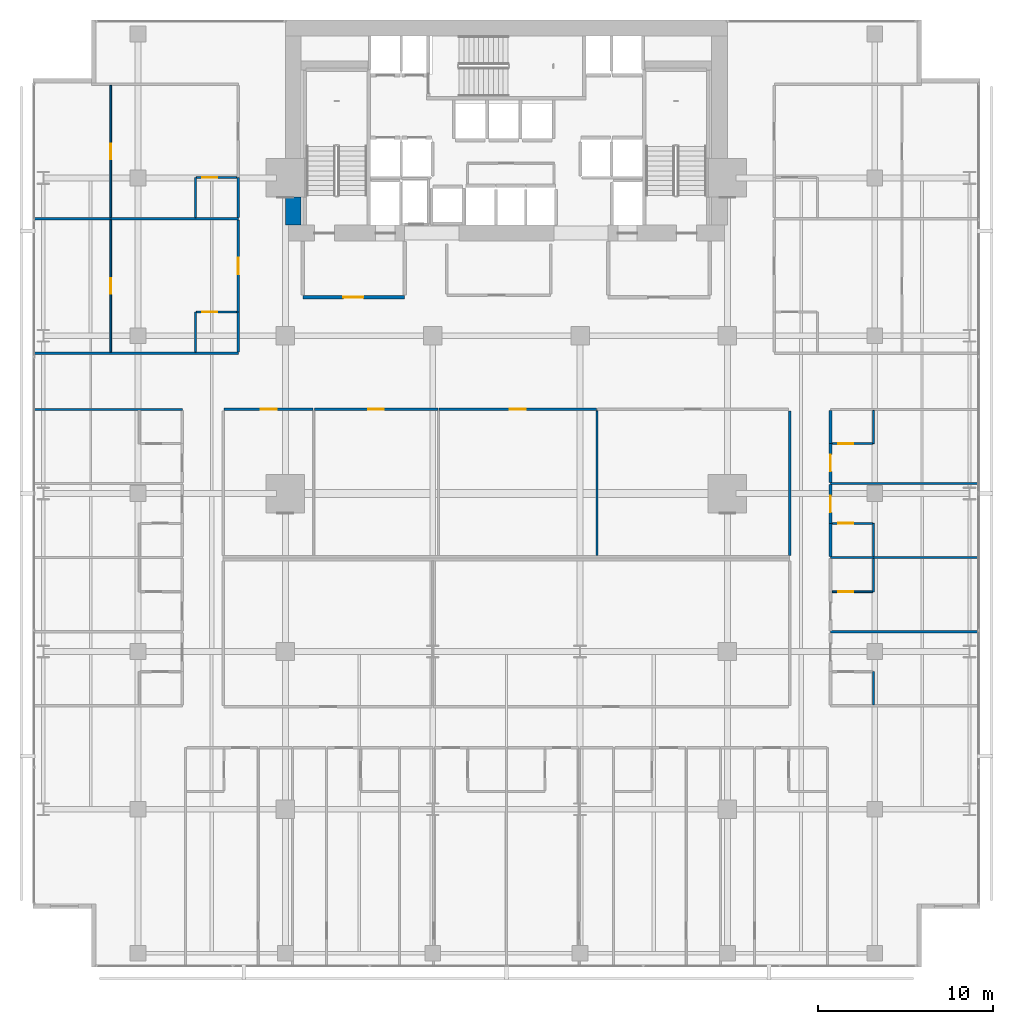
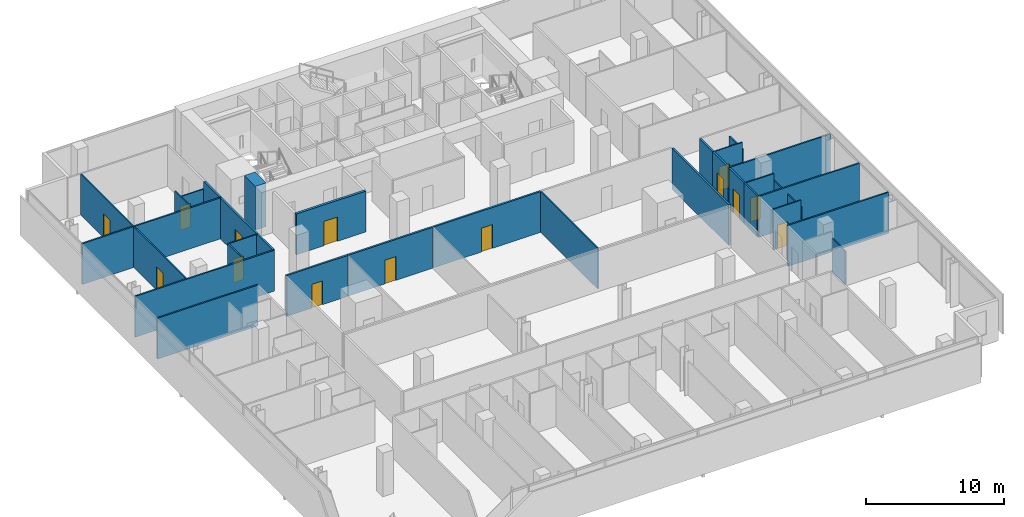
# One storey, part 35 of 40: 33 walls, 14 doors, 14 openings.
"""IFC4 building model written with IfcOpenShell, lengths in metres."""

import ifcopenshell
import ifcopenshell.guid

model = None  # the IFC model being written
_history = None  # IfcOwnerHistory: only IFC2X3 demands one
_inside = {}  # id of a spatial element -> (the spatial element, [elements in it])
_under = {}  # id of a project, library or spatial element -> (it, [spatial elements below it])
_declared = {}  # id of a project -> (the project, [libraries it declares])
_typed = {}  # id of a type object -> (the type object, [elements of that type])
_made_of = {}  # id of a material, layer set ... -> (it, [elements and type objects made of it])


def new_model(schema):
    """Start an empty IFC model of exactly this schema.

    Asked for "IFC4X3", IfcOpenShell would pick the latest addendum, in which some entities
    have other attributes; the version numbers below select the first issue.
    IFC2X3 requires an IfcOwnerHistory on every rooted entity: one is made here for all.
    """
    global model, _history
    if schema == "IFC4X3":
        model = ifcopenshell.file(schema_version=(4, 3, 0, 0))
    else:
        model = ifcopenshell.file(schema=schema)
    _inside.clear()
    _under.clear()
    _declared.clear()
    _typed.clear()
    _made_of.clear()
    _history = None
    if model.schema == "IFC2X3":
        org = make("IfcOrganization", Name="unknown")
        user = make(
            "IfcPersonAndOrganization",
            ThePerson=make("IfcPerson", FamilyName="unknown"),
            TheOrganization=org,
        )
        app = make(
            "IfcApplication",
            ApplicationDeveloper=org,
            Version="unknown",
            ApplicationFullName="unknown",
            ApplicationIdentifier="unknown",
        )
        _history = make(
            "IfcOwnerHistory",
            OwningUser=user,
            OwningApplication=app,
            ChangeAction="ADDED",
            CreationDate=0,
        )
    return model


def make(cls, **values):
    """One entity of the class cls with the attributes given. An attribute that is None is left unset."""
    return model.create_entity(
        cls, **{name: value for name, value in values.items() if value is not None}
    )


def rooted(cls, **values):
    """An entity with a GlobalId (a new one), such as an element, a storey or a relation."""
    return make(cls, GlobalId=ifcopenshell.guid.new(), OwnerHistory=_history, **values)


def si_unit(unit_type, name, prefix=None):
    """IfcSIUnit, for example si_unit("LENGTHUNIT", "METRE", prefix="MILLI")."""
    return make("IfcSIUnit", UnitType=unit_type, Prefix=prefix, Name=name)


def assignment(units):
    """IfcUnitAssignment: the units of a project."""
    return None if units is None else make("IfcUnitAssignment", Units=units)


def point(xyz):
    """IfcCartesianPoint."""
    return None if xyz is None else make("IfcCartesianPoint", Coordinates=xyz)


def direction(xyz):
    """IfcDirection."""
    return None if xyz is None else make("IfcDirection", DirectionRatios=xyz)


def frame(location, z_axis=None, x_axis=None):
    """IfcAxis2Placement3D, a coordinate frame: its origin and axes. An axis left out is left unset."""
    return make(
        "IfcAxis2Placement3D",
        Location=point(location),
        Axis=direction(z_axis),
        RefDirection=direction(x_axis),
    )


def frame_2d(location, x_axis=None):
    """IfcAxis2Placement2D, a coordinate frame in the plane: its origin and x axis."""
    return make(
        "IfcAxis2Placement2D", Location=point(location), RefDirection=direction(x_axis)
    )


def origin():
    """The frame at (0, 0, 0) with its axes left unset."""
    return frame((0.0, 0.0, 0.0))


def place(relative_to, where):
    """IfcLocalPlacement: puts the frame where relative to a parent placement (None: the world)."""
    return make(
        "IfcLocalPlacement", PlacementRelTo=relative_to, RelativePlacement=where
    )


def context(
    kind, dimensions, precision=None, world=None, true_north=None, identifier=None
):
    """IfcGeometricRepresentationContext, for example the 3D "Model" context."""
    return make(
        "IfcGeometricRepresentationContext",
        ContextIdentifier=identifier,
        ContextType=kind,
        CoordinateSpaceDimension=dimensions,
        Precision=precision,
        WorldCoordinateSystem=world,
        TrueNorth=true_north,
    )


def subcontext(parent, identifier, kind, view, scale=None):
    """IfcGeometricRepresentationSubContext, for example "Body" below "Model"."""
    return make(
        "IfcGeometricRepresentationSubContext",
        ContextIdentifier=identifier,
        ContextType=kind,
        ParentContext=parent,
        TargetScale=scale,
        TargetView=view,
    )


def project(units=None, contexts=None):
    """IfcProject with its units and contexts."""
    return rooted(
        "IfcProject",
        Name="project",
        RepresentationContexts=contexts,
        UnitsInContext=assignment(units),
    )


def spatial(cls, under=None, at=None, **own):
    """A site, building, storey or space (cls), placed at a placement, below another one or the project."""
    s = rooted(cls, ObjectPlacement=at, **own)
    if under is not None:
        _under.setdefault(under.id(), (under, []))[1].append(s)
    return s


def profile(cls, at=None, kind="AREA", **sizes):
    """A parametric profile (cls). Its sizes go by their IFC names, for example OverallWidth=200.0."""
    return make(cls, ProfileType=kind, Position=at, **sizes)


def rectangle(**sizes):
    """IfcRectangleProfileDef."""
    return profile("IfcRectangleProfileDef", **sizes)


def extrude(swept, where, along, depth):
    """IfcExtrudedAreaSolid: the profile swept, set in the frame where, extruded along a direction by depth."""
    return make(
        "IfcExtrudedAreaSolid",
        SweptArea=swept,
        Position=where,
        ExtrudedDirection=direction(along),
        Depth=depth,
    )


def shape(context_of_items, identifier, shape_type, items):
    """IfcShapeRepresentation: the items that make up one representation, for example the "Body"."""
    return make(
        "IfcShapeRepresentation",
        ContextOfItems=context_of_items,
        RepresentationIdentifier=identifier,
        RepresentationType=shape_type,
        Items=items,
    )


def material(Name=None, Category=None):
    """IfcMaterial."""
    return make("IfcMaterial", Name=Name, Category=Category)


def layer(
    of_material, thickness, ventilated=None, Name=None, Category=None, Priority=None
):
    """IfcMaterialLayer: one layer of a wall or slab, of a material (None: an air gap)."""
    return make(
        "IfcMaterialLayer",
        Material=of_material,
        LayerThickness=thickness,
        IsVentilated=ventilated,
        Name=Name,
        Category=Category,
        Priority=Priority,
    )


def layer_set(layers, Name=None):
    """IfcMaterialLayerSet."""
    return make("IfcMaterialLayerSet", MaterialLayers=layers, LayerSetName=Name)


def made_of(thing, what):
    """Note that an element or type object is made of a material, layer set ...; save() writes the relation."""
    if what is not None:
        _made_of.setdefault(what.id(), (what, []))[1].append(thing)
    return thing


def type_object(cls, material=None, **own):
    """A type object (cls), such as IfcWallType, which elements share."""
    return made_of(rooted(cls, **own), material)


def element(
    cls,
    number,
    at=None,
    inside=None,
    cuts=None,
    type_object=None,
    material=None,
    context=None,
    identifier="Body",
    shape_type=None,
    held_by="IfcProductDefinitionShape",
    body=None,
    shapes=None,
    **own,
):
    """One element of the class cls, such as IfcWall. Its Tag is "e" and its number.

    at: its placement. inside: the storey or other place that contains it. cuts: it is an
    opening in that element (IfcRelVoidsElement). A single representation is given by context,
    identifier, shape_type and body (its items); several are given by shapes. held_by: the class
    of the entity that holds the representations. save() writes the other relations.
    """
    e = rooted(cls, Tag="e%d" % number, ObjectPlacement=at, **own)
    if body is not None:
        shapes = [shape(context, identifier, shape_type, body)]
    if shapes is not None:
        e.Representation = make(held_by, Representations=shapes)
    if inside is not None:
        _inside.setdefault(inside.id(), (inside, []))[1].append(e)
    if cuts is not None:
        rooted(
            "IfcRelVoidsElement", RelatingBuildingElement=cuts, RelatedOpeningElement=e
        )
    if type_object is not None:
        _typed.setdefault(type_object.id(), (type_object, []))[1].append(e)
    return made_of(e, material)


def fill(opening, filler):
    """IfcRelFillsElement: the door or window that sits in an opening."""
    return rooted(
        "IfcRelFillsElement",
        RelatingOpeningElement=opening,
        RelatedBuildingElement=filler,
    )


def aggregate(whole, parts):
    """IfcRelAggregates: a whole, such as a stair, and the parts it consists of."""
    return rooted("IfcRelAggregates", RelatingObject=whole, RelatedObjects=parts)


def save(model, path):
    """Write the relations noted so far, then the file.

    IfcRelAggregates (storeys below a building ...), IfcRelContainedInSpatialStructure (elements
    in a storey), IfcRelDefinesByType, IfcRelAssociatesMaterial and IfcRelDeclares: one each for
    every whole, place, type object, material and project.
    """
    for whole, parts in _under.values():
        aggregate(whole, parts)
    for where, things in _inside.values():
        rooted(
            "IfcRelContainedInSpatialStructure",
            RelatedElements=things,
            RelatingStructure=where,
        )
    for kind, things in _typed.values():
        rooted("IfcRelDefinesByType", RelatedObjects=things, RelatingType=kind)
    for what, things in _made_of.values():
        rooted("IfcRelAssociatesMaterial", RelatedObjects=things, RelatingMaterial=what)
    for by, libraries in _declared.values():
        rooted("IfcRelDeclares", RelatingContext=by, RelatedDefinitions=libraries)
    model.write(path)


model = new_model("IFC4")

# Units and contexts
model_context = context("Model", 3, precision=1e-05, world=origin(), true_north=direction((0.0, 1.0)))
body_context = subcontext(model_context, "Body", "Model", "MODEL_VIEW")
ifc_project = project(units=[si_unit("LENGTHUNIT", "METRE"), si_unit("AREAUNIT", "SQUARE_METRE"), si_unit("VOLUMEUNIT", "CUBIC_METRE"), si_unit("PLANEANGLEUNIT", "RADIAN"), si_unit("MASSUNIT", "GRAM", prefix="KILO")], contexts=[model_context])

# Site, building, storey
site_placement = place(None, origin())
site = spatial("IfcSite", under=ifc_project, at=site_placement, CompositionType="ELEMENT")
building_placement = place(site_placement, origin())
building = spatial("IfcBuilding", under=site, at=building_placement, Name="Maruvema Waterfront Hotel and Observation Tower", CompositionType="ELEMENT")
storey_placement = place(building_placement, frame((0.0, 0.0, 30.800048828125)))
storey = spatial("IfcBuildingStorey", under=building, at=storey_placement, Name="L06", CompositionType="ELEMENT", Elevation=30.800048828125)

# Wall
ifc_material_1 = material(Name="Twin-stud acoustic gypsum drywall", Category="gypsum")
ifc_layer_1 = layer(ifc_material_1, 0.14990234375, Name="Acoustic Corridor and Suite Demising Wall 150 mm")
ifc_layer_set_1 = layer_set([ifc_layer_1], Name="Twin-stud acoustic gypsum drywall")
wall_type_1 = type_object("IfcWallType", Name="Acoustic Corridor and Suite Demising Wall 150 mm", PredefinedType="PARTITIONING", material=ifc_layer_set_1)
wall_1_placement = place(storey_placement, frame((53.949951171875, 23.47998046875, 0.0), z_axis=(0.0, 0.0, 1.0), x_axis=(0.0, 1.0, 0.0)))
element("IfcWall", 1, at=wall_1_placement, inside=storey, type_object=wall_type_1, Name="L06 L06-INTN East Wall 018", PredefinedType="PARTITIONING", context=body_context, shape_type="SweptSolid", body=[
    extrude(rectangle(XDim=8.239990234375, YDim=0.14990234375, at=frame_2d((4.1201171875, 0.0))), origin(), (0.0, 0.0, 1.0), 3.60986328125),
])

# Wall, opening, door
wall_2_placement = place(storey_placement, frame((21.7099609375, 31.800048828125, 0.0), z_axis=(0.0, 0.0, 1.0), x_axis=(1.0, 0.0, 0.0)))
wall_2 = element("IfcWall", 2, at=wall_2_placement, inside=storey, type_object=wall_type_1, Name="L06 L06-INTN Front 1 019", PredefinedType="PARTITIONING", context=body_context, shape_type="SweptSolid", body=[
    extrude(rectangle(XDim=5.078125, YDim=0.14990234375, at=frame_2d((2.5390625, 0.0))), origin(), (0.0, 0.0, 1.0), 3.60986328125),
])
opening_1_placement = place(wall_2_placement, frame((2.089111328125, 0.0, 0.0)))
opening_1 = element("IfcOpeningElement", 3, at=opening_1_placement, cuts=wall_2, Name="Opening DR-090", PredefinedType="OPENING", context=body_context, shape_type="SweptSolid", body=[
    extrude(rectangle(XDim=0.89990234375, YDim=2.10009765625, at=frame_2d((0.449951171875, 1.050048828125))), frame((0.0, 0.0849609375, 0.0), z_axis=(0.0, -1.0, 0.0), x_axis=(1.0, 0.0, 0.0)), (0.0, 0.0, 1.0), 0.169921875),
])
ifc_material_2 = material(Name="Solid-core lacquered timber leaf", Category="wood")
door_type_1 = type_object("IfcDoorType", Name="Accessible Toilet and Room Door 900x2100 mm", OperationType="NOTDEFINED", PredefinedType="DOOR", material=ifc_material_2)
door_1_placement = place(opening_1_placement, origin())
door_1 = element("IfcDoor", 4, at=door_1_placement, inside=storey, type_object=door_type_1, Name="L06 Business Office 1 Door", OperationType="SINGLE_SWING_LEFT", OverallHeight=2.10009765625, OverallWidth=0.89990234375, PredefinedType="DOOR", context=body_context, shape_type="SweptSolid", body=[
    extrude(rectangle(XDim=0.89990234375, YDim=2.10009765625, at=frame_2d((0.449951171875, 1.050048828125))), frame((0.0, 0.02490234375, 0.0), z_axis=(0.0, -1.0, 0.0), x_axis=(1.0, 0.0, 0.0)), (0.0, 0.0, 1.0), 0.050048828125),
])
fill(opening_1, door_1)

wall_3_placement = place(storey_placement, frame((26.847900390625, 31.800048828125, 0.0), z_axis=(0.0, 0.0, 1.0), x_axis=(1.0, 0.0, 0.0)))
wall_3 = element("IfcWall", 5, at=wall_3_placement, inside=storey, type_object=wall_type_1, Name="L06 L06-INTN Front 2 021", PredefinedType="PARTITIONING", context=body_context, shape_type="SweptSolid", body=[
    extrude(rectangle(XDim=7.046142578125, YDim=0.14990234375, at=frame_2d((3.52294921875, 0.0))), origin(), (0.0, 0.0, 1.0), 3.60986328125),
])
opening_2_placement = place(wall_3_placement, frame((3.072998046875, 0.0, 0.0)))
opening_2 = element("IfcOpeningElement", 6, at=opening_2_placement, cuts=wall_3, Name="Opening DR-090", PredefinedType="OPENING", context=body_context, shape_type="SweptSolid", body=[
    extrude(rectangle(XDim=0.89990234375, YDim=2.10009765625, at=frame_2d((0.449951171875, 1.050048828125))), frame((0.0, 0.0849609375, 0.0), z_axis=(0.0, -1.0, 0.0), x_axis=(1.0, 0.0, 0.0)), (0.0, 0.0, 1.0), 0.169921875),
])
door_2_placement = place(opening_2_placement, origin())
door_2 = element("IfcDoor", 7, at=door_2_placement, inside=storey, type_object=door_type_1, Name="L06 Business Office 2 Door", OperationType="SINGLE_SWING_RIGHT", OverallHeight=2.10009765625, OverallWidth=0.89990234375, PredefinedType="DOOR", context=body_context, shape_type="SweptSolid", body=[
    extrude(rectangle(XDim=0.89990234375, YDim=2.10009765625, at=frame_2d((0.449951171875, 1.050048828125))), frame((0.0, 0.02490234375, 0.0), z_axis=(0.0, -1.0, 0.0), x_axis=(1.0, 0.0, 0.0)), (0.0, 0.0, 1.0), 0.050048828125),
])
fill(opening_2, door_2)

wall_4_placement = place(storey_placement, frame((33.9541015625, 31.800048828125, 0.0), z_axis=(0.0, 0.0, 1.0), x_axis=(1.0, 0.0, 0.0)))
wall_4 = element("IfcWall", 8, at=wall_4_placement, inside=storey, type_object=wall_type_1, Name="L06 L06-INTN Front 3 023", PredefinedType="PARTITIONING", context=body_context, shape_type="SweptSolid", body=[
    extrude(rectangle(XDim=8.98388671875, YDim=0.14990234375, at=frame_2d((4.491943359375, 0.0))), origin(), (0.0, 0.0, 1.0), 3.60986328125),
])
opening_3_placement = place(wall_4_placement, frame((4.0419921875, 0.0, 0.0)))
opening_3 = element("IfcOpeningElement", 9, at=opening_3_placement, cuts=wall_4, Name="Opening DR-090", PredefinedType="OPENING", context=body_context, shape_type="SweptSolid", body=[
    extrude(rectangle(XDim=0.89990234375, YDim=2.10009765625, at=frame_2d((0.449951171875, 1.050048828125))), frame((0.0, 0.0849609375, 0.0), z_axis=(0.0, -1.0, 0.0), x_axis=(1.0, 0.0, 0.0)), (0.0, 0.0, 1.0), 0.169921875),
])
door_3_placement = place(opening_3_placement, origin())
door_3 = element("IfcDoor", 10, at=door_3_placement, inside=storey, type_object=door_type_1, Name="L06 Butler Kitchenette Door", OperationType="SINGLE_SWING_LEFT", OverallHeight=2.10009765625, OverallWidth=0.89990234375, PredefinedType="DOOR", context=body_context, shape_type="SweptSolid", body=[
    extrude(rectangle(XDim=0.89990234375, YDim=2.10009765625, at=frame_2d((0.449951171875, 1.050048828125))), frame((0.0, 0.02490234375, 0.0), z_axis=(0.0, -1.0, 0.0), x_axis=(1.0, 0.0, 0.0)), (0.0, 0.0, 1.0), 0.050048828125),
])
fill(opening_3, door_3)

# Wall
wall_5_placement = place(storey_placement, frame((56.280029296875, 23.409912109375, 0.0), z_axis=(0.0, 0.0, 1.0), x_axis=(0.0, 1.0, 0.0)))
element("IfcWall", 11, at=wall_5_placement, inside=storey, type_object=wall_type_1, Name="L06 Bath L06-E3 Wall 103", PredefinedType="PARTITIONING", context=body_context, shape_type="SweptSolid", body=[
    extrude(rectangle(XDim=1.89013671875, YDim=0.14990234375, at=frame_2d((0.945068359375, 0.0))), origin(), (0.0, 0.0, 1.0), 3.60986328125),
])

# Wall, opening, door
wall_6_placement = place(storey_placement, frame((56.280029296875, 25.300048828125, 0.0), z_axis=(0.0, 0.0, 1.0), x_axis=(0.0, 1.0, 0.0)))
wall_6 = element("IfcWall", 12, at=wall_6_placement, inside=storey, type_object=wall_type_1, Name="L06 Room L06-E3 Corridor Wall 104", PredefinedType="PARTITIONING", context=body_context, shape_type="SweptSolid", body=[
    extrude(rectangle(XDim=2.2099609375, YDim=0.14990234375, at=frame_2d((1.10498046875, 0.0))), origin(), (0.0, 0.0, 1.0), 3.60986328125),
])
opening_4_placement = place(wall_6_placement, frame((0.6298828125, 0.0, 0.0)))
opening_4 = element("IfcOpeningElement", 13, at=opening_4_placement, cuts=wall_6, Name="Opening DR-095", PredefinedType="OPENING", context=body_context, shape_type="SweptSolid", body=[
    extrude(rectangle(XDim=0.949951171875, YDim=2.14990234375, at=frame_2d((0.47509765625, 1.074951171875))), frame((0.0, 0.0849609375, 0.0), z_axis=(0.0, -1.0, 0.0), x_axis=(1.0, 0.0, 0.0)), (0.0, 0.0, 1.0), 0.169921875),
])
ifc_material_3 = material(Name="Acoustic solid-core hardwood timber leaf", Category="wood")
door_type_2 = type_object("IfcDoorType", Name="Guestroom Entrance Fire Door 950x2150 mm", OperationType="NOTDEFINED", PredefinedType="DOOR", material=ifc_material_3)
door_4_placement = place(opening_4_placement, frame((0.949951171875, 0.0, 0.0), z_axis=(0.0, 0.0, 1.0), x_axis=(-1.0, 0.0, 0.0)))
door_4 = element("IfcDoor", 14, at=door_4_placement, inside=storey, type_object=door_type_2, Name="L06 Room L06-E3 Entrance Door", OperationType="SINGLE_SWING_RIGHT", OverallHeight=2.14990234375, OverallWidth=0.949951171875, PredefinedType="DOOR", context=body_context, shape_type="SweptSolid", body=[
    extrude(rectangle(XDim=0.949951171875, YDim=2.14990234375, at=frame_2d((0.47509765625, 1.074951171875))), frame((0.0, 0.02490234375, 0.0), z_axis=(0.0, -1.0, 0.0), x_axis=(1.0, 0.0, 0.0)), (0.0, 0.0, 1.0), 0.050048828125),
])
fill(opening_4, door_4)

wall_7_placement = place(storey_placement, frame((56.280029296875, 27.6298828125, 0.0), z_axis=(0.0, 0.0, 1.0), x_axis=(0.0, 1.0, 0.0)))
wall_7 = element("IfcWall", 15, at=wall_7_placement, inside=storey, type_object=wall_type_1, Name="L06 Room L06-E4 Corridor Wall 113", PredefinedType="PARTITIONING", context=body_context, shape_type="SweptSolid", body=[
    extrude(rectangle(XDim=2.22021484375, YDim=0.14990234375, at=frame_2d((1.110107421875, 0.0))), origin(), (0.0, 0.0, 1.0), 3.60986328125),
])
opening_5_placement = place(wall_7_placement, frame((0.635009765625, 0.0, 0.0)))
opening_5 = element("IfcOpeningElement", 16, at=opening_5_placement, cuts=wall_7, Name="Opening DR-095", PredefinedType="OPENING", context=body_context, shape_type="SweptSolid", body=[
    extrude(rectangle(XDim=0.949951171875, YDim=2.14990234375, at=frame_2d((0.47509765625, 1.074951171875))), frame((0.0, 0.0849609375, 0.0), z_axis=(0.0, -1.0, 0.0), x_axis=(1.0, 0.0, 0.0)), (0.0, 0.0, 1.0), 0.169921875),
])
door_5_placement = place(opening_5_placement, frame((0.949951171875, 0.0, 0.0), z_axis=(0.0, 0.0, 1.0), x_axis=(-1.0, 0.0, 0.0)))
door_5 = element("IfcDoor", 17, at=door_5_placement, inside=storey, type_object=door_type_2, Name="L06 Room L06-E4 Entrance Door", OperationType="SINGLE_SWING_RIGHT", OverallHeight=2.14990234375, OverallWidth=0.949951171875, PredefinedType="DOOR", context=body_context, shape_type="SweptSolid", body=[
    extrude(rectangle(XDim=0.949951171875, YDim=2.14990234375, at=frame_2d((0.47509765625, 1.074951171875))), frame((0.0, 0.02490234375, 0.0), z_axis=(0.0, -1.0, 0.0), x_axis=(1.0, 0.0, 0.0)), (0.0, 0.0, 1.0), 0.050048828125),
])
fill(opening_5, door_5)

# Walls
wall_8_placement = place(storey_placement, frame((56.280029296875, 29.85009765625, 0.0), z_axis=(0.0, 0.0, 1.0), x_axis=(0.0, 1.0, 0.0)))
element("IfcWall", 18, at=wall_8_placement, inside=storey, type_object=wall_type_1, Name="L06 Bath L06-E4 Wall 114", PredefinedType="PARTITIONING", context=body_context, shape_type="SweptSolid", body=[
    extrude(rectangle(XDim=1.889892578125, YDim=0.14990234375, at=frame_2d((0.94482421875, 0.0))), origin(), (0.0, 0.0, 1.0), 3.60986328125),
])
wall_9_placement = place(storey_placement, frame((22.52001953125, 35.06005859375, 0.0), z_axis=(0.0, 0.0, 1.0), x_axis=(0.0, 1.0, 0.0)))
element("IfcWall", 19, at=wall_9_placement, inside=storey, type_object=wall_type_1, Name="L06 Bath L06-NW1 Wall 121", PredefinedType="PARTITIONING", context=body_context, shape_type="SweptSolid", body=[
    extrude(rectangle(XDim=2.2900390625, YDim=0.14990234375, at=frame_2d((1.14501953125, 0.0))), origin(), (0.0, 0.0, 1.0), 3.60986328125),
])

# Wall, opening, door
wall_10_placement = place(storey_placement, frame((22.52001953125, 37.35009765625, 0.0), z_axis=(0.0, 0.0, 1.0), x_axis=(0.0, 1.0, 0.0)))
wall_10 = element("IfcWall", 20, at=wall_10_placement, inside=storey, type_object=wall_type_1, Name="L06 Room L06-NW1 Corridor Wall 122", PredefinedType="PARTITIONING", context=body_context, shape_type="SweptSolid", body=[
    extrude(rectangle(XDim=5.2587890625, YDim=0.14990234375, at=frame_2d((2.62939453125, 0.0))), origin(), (0.0, 0.0, 1.0), 3.60986328125),
])
opening_6_placement = place(wall_10_placement, frame((2.154296875, 0.0, 0.0)))
opening_6 = element("IfcOpeningElement", 21, at=opening_6_placement, cuts=wall_10, Name="Opening DR-095", PredefinedType="OPENING", context=body_context, shape_type="SweptSolid", body=[
    extrude(rectangle(XDim=0.949951171875, YDim=2.14990234375, at=frame_2d((0.47509765625, 1.074951171875))), frame((0.0, 0.0849609375, 0.0), z_axis=(0.0, -1.0, 0.0), x_axis=(1.0, 0.0, 0.0)), (0.0, 0.0, 1.0), 0.169921875),
])
door_6_placement = place(opening_6_placement, origin())
door_6 = element("IfcDoor", 22, at=door_6_placement, inside=storey, type_object=door_type_2, Name="L06 Room L06-NW1 Entrance Door", OperationType="SINGLE_SWING_RIGHT", OverallHeight=2.14990234375, OverallWidth=0.949951171875, PredefinedType="DOOR", context=body_context, shape_type="SweptSolid", body=[
    extrude(rectangle(XDim=0.949951171875, YDim=2.14990234375, at=frame_2d((0.47509765625, 1.074951171875))), frame((0.0, 0.02490234375, 0.0), z_axis=(0.0, -1.0, 0.0), x_axis=(1.0, 0.0, 0.0)), (0.0, 0.0, 1.0), 0.050048828125),
])
fill(opening_6, door_6)

# Walls
wall_11_placement = place(storey_placement, frame((22.52001953125, 42.728759765625, 0.0), z_axis=(0.0, 0.0, 1.0), x_axis=(0.0, 1.0, 0.0)))
element("IfcWall", 23, at=wall_11_placement, inside=storey, type_object=wall_type_1, Name="L06 Bath L06-NW2 Wall 133", PredefinedType="PARTITIONING", context=body_context, shape_type="SweptSolid", body=[
    extrude(rectangle(XDim=2.2900390625, YDim=0.14990234375, at=frame_2d((1.14501953125, 0.0))), origin(), (0.0, 0.0, 1.0), 3.60986328125),
])
ifc_material_4 = material(Name="Concrete C80/95", Category="concrete")
ifc_layer_2 = layer(ifc_material_4, 0.89990234375, Name="Core Shear Wall 900 mm")
ifc_layer_set_2 = layer_set([ifc_layer_2], Name="Concrete C80/95")
wall_type_2 = type_object("IfcWallType", Name="Core Shear Wall 900 mm", PredefinedType="SHEAR", material=ifc_layer_set_2)
wall_12_placement = place(storey_placement, frame((25.64990234375, 42.300048828125, 0.0), z_axis=(0.0, 0.0, 1.0), x_axis=(0.0, 1.0, 0.0)))
element("IfcWall", 24, at=wall_12_placement, inside=storey, type_object=wall_type_2, Name="L06 West-South Core Shear Wall", PredefinedType="SHEAR", context=body_context, shape_type="SweptSolid", body=[
    extrude(rectangle(XDim=1.599853515625, YDim=0.89990234375, at=frame_2d((0.7998046875, 0.0))), origin(), (0.0, 0.0, 1.0), 3.849853515625),
])
ifc_material_5 = material(Name="Moisture-resistant cement-board drywall", Category="gypsum")
ifc_layer_3 = layer(ifc_material_5, 0.10009765625, Name="En-Suite Moisture-Resistant Partition 100 mm")
ifc_layer_set_3 = layer_set([ifc_layer_3], Name="Moisture-resistant cement-board drywall")
wall_type_3 = type_object("IfcWallType", Name="En-Suite Moisture-Resistant Partition 100 mm", PredefinedType="PARTITIONING", material=ifc_layer_set_3)
wall_13_placement = place(storey_placement, frame((42.968017578125, 23.47998046875, 0.0), z_axis=(0.0, 0.0, 1.0), x_axis=(0.0, 1.0, 0.0)))
element("IfcWall", 25, at=wall_13_placement, inside=storey, type_object=wall_type_3, Name="L06 L06-INTN Split 3 024", PredefinedType="PARTITIONING", context=body_context, shape_type="SweptSolid", body=[
    extrude(rectangle(XDim=8.239990234375, YDim=0.10009765625, at=frame_2d((4.1201171875, 0.0))), origin(), (0.0, 0.0, 1.0), 3.60986328125),
])
for number, where, z_axis, x_axis, name in (
    (26, (58.72998046875, 14.9599609375, 0.0), (0.0, 0.0, 1.0), (0.0, 1.0, 0.0), "L06 En-Suite L06-E1 E 085"),
    (27, (58.72998046875, 21.39990234375, 0.0), (0.0, 0.0, 1.0), (0.0, 1.0, 0.0), "L06 En-Suite L06-E2 E 095"),
):
    element("IfcWall", number, at=place(storey_placement, frame(where, z_axis=z_axis, x_axis=x_axis)), inside=storey, type_object=wall_type_3, Name=name, PredefinedType="PARTITIONING", context=body_context, shape_type="SweptSolid", body=[
        extrude(rectangle(XDim=1.89013671875, YDim=0.10009765625, at=frame_2d((0.945068359375, 0.0))), origin(), (0.0, 0.0, 1.0), 2.974853515625),
    ])

# Wall, opening, door
wall_14_placement = place(storey_placement, frame((56.3798828125, 21.39990234375, 0.0), z_axis=(0.0, 0.0, 1.0), x_axis=(1.0, 0.0, 0.0)))
wall_14 = element("IfcWall", 28, at=wall_14_placement, inside=storey, type_object=wall_type_3, Name="L06 En-Suite L06-E2 S 096", PredefinedType="PARTITIONING", context=body_context, shape_type="SweptSolid", body=[
    extrude(rectangle(XDim=2.300048828125, YDim=0.10009765625, at=frame_2d((1.14990234375, 0.0))), origin(), (0.0, 0.0, 1.0), 3.60986328125),
])
opening_7_placement = place(wall_14_placement, frame((0.35009765625, 0.0, 0.0)))
opening_7 = element("IfcOpeningElement", 29, at=opening_7_placement, cuts=wall_14, Name="Opening DR-085", PredefinedType="OPENING", context=body_context, shape_type="SweptSolid", body=[
    extrude(rectangle(XDim=0.85009765625, YDim=2.10009765625, at=frame_2d((0.425048828125, 1.050048828125))), frame((0.0, 0.06005859375, 0.0), z_axis=(0.0, -1.0, 0.0), x_axis=(1.0, 0.0, 0.0)), (0.0, 0.0, 1.0), 0.1201171875),
])
ifc_material_6 = material(Name="Moisture-resistant solid timber leaf", Category="wood")
door_type_3 = type_object("IfcDoorType", Name="En-Suite Bathroom Door 850x2100 mm", OperationType="NOTDEFINED", PredefinedType="DOOR", material=ifc_material_6)
door_7_placement = place(opening_7_placement, frame((0.85009765625, 0.0, 0.0), z_axis=(0.0, 0.0, 1.0), x_axis=(-1.0, 0.0, 0.0)))
door_7 = element("IfcDoor", 30, at=door_7_placement, inside=storey, type_object=door_type_3, Name="L06 En-Suite L06-E2 Door", OperationType="SINGLE_SWING_LEFT", OverallHeight=2.10009765625, OverallWidth=0.85009765625, PredefinedType="DOOR", context=body_context, shape_type="SweptSolid", body=[
    extrude(rectangle(XDim=0.85009765625, YDim=2.10009765625, at=frame_2d((0.425048828125, 1.050048828125))), frame((0.0, 0.02490234375, 0.0), z_axis=(0.0, -1.0, 0.0), x_axis=(1.0, 0.0, 0.0)), (0.0, 0.0, 1.0), 0.050048828125),
])
fill(opening_7, door_7)

# Wall
wall_15_placement = place(storey_placement, frame((58.72998046875, 23.409912109375, 0.0), z_axis=(0.0, 0.0, 1.0), x_axis=(0.0, 1.0, 0.0)))
element("IfcWall", 31, at=wall_15_placement, inside=storey, type_object=wall_type_3, Name="L06 En-Suite L06-E3 E 105", PredefinedType="PARTITIONING", context=body_context, shape_type="SweptSolid", body=[
    extrude(rectangle(XDim=1.89013671875, YDim=0.10009765625, at=frame_2d((0.945068359375, 0.0))), origin(), (0.0, 0.0, 1.0), 2.974853515625),
])

# Wall, opening, door
wall_16_placement = place(storey_placement, frame((56.3798828125, 25.300048828125, 0.0), z_axis=(0.0, 0.0, 1.0), x_axis=(1.0, 0.0, 0.0)))
wall_16 = element("IfcWall", 32, at=wall_16_placement, inside=storey, type_object=wall_type_3, Name="L06 En-Suite L06-E3 N 106", PredefinedType="PARTITIONING", context=body_context, shape_type="SweptSolid", body=[
    extrude(rectangle(XDim=2.300048828125, YDim=0.10009765625, at=frame_2d((1.14990234375, 0.0))), origin(), (0.0, 0.0, 1.0), 3.60986328125),
])
opening_8_placement = place(wall_16_placement, frame((0.35009765625, 0.0, 0.0)))
opening_8 = element("IfcOpeningElement", 33, at=opening_8_placement, cuts=wall_16, Name="Opening DR-085", PredefinedType="OPENING", context=body_context, shape_type="SweptSolid", body=[
    extrude(rectangle(XDim=0.85009765625, YDim=2.10009765625, at=frame_2d((0.425048828125, 1.050048828125))), frame((0.0, 0.06005859375, 0.0), z_axis=(0.0, -1.0, 0.0), x_axis=(1.0, 0.0, 0.0)), (0.0, 0.0, 1.0), 0.1201171875),
])
door_8_placement = place(opening_8_placement, origin())
door_8 = element("IfcDoor", 34, at=door_8_placement, inside=storey, type_object=door_type_3, Name="L06 En-Suite L06-E3 Door", OperationType="SINGLE_SWING_LEFT", OverallHeight=2.10009765625, OverallWidth=0.85009765625, PredefinedType="DOOR", context=body_context, shape_type="SweptSolid", body=[
    extrude(rectangle(XDim=0.85009765625, YDim=2.10009765625, at=frame_2d((0.425048828125, 1.050048828125))), frame((0.0, 0.02490234375, 0.0), z_axis=(0.0, -1.0, 0.0), x_axis=(1.0, 0.0, 0.0)), (0.0, 0.0, 1.0), 0.050048828125),
])
fill(opening_8, door_8)

# Wall
wall_17_placement = place(storey_placement, frame((58.72998046875, 29.85009765625, 0.0), z_axis=(0.0, 0.0, 1.0), x_axis=(0.0, 1.0, 0.0)))
element("IfcWall", 35, at=wall_17_placement, inside=storey, type_object=wall_type_3, Name="L06 En-Suite L06-E4 E 115", PredefinedType="PARTITIONING", context=body_context, shape_type="SweptSolid", body=[
    extrude(rectangle(XDim=1.889892578125, YDim=0.10009765625, at=frame_2d((0.94482421875, 0.0))), origin(), (0.0, 0.0, 1.0), 2.974853515625),
])

# Wall, opening, door
wall_18_placement = place(storey_placement, frame((56.3798828125, 29.85009765625, 0.0), z_axis=(0.0, 0.0, 1.0), x_axis=(1.0, 0.0, 0.0)))
wall_18 = element("IfcWall", 36, at=wall_18_placement, inside=storey, type_object=wall_type_3, Name="L06 En-Suite L06-E4 S 116", PredefinedType="PARTITIONING", context=body_context, shape_type="SweptSolid", body=[
    extrude(rectangle(XDim=2.300048828125, YDim=0.10009765625, at=frame_2d((1.14990234375, 0.0))), origin(), (0.0, 0.0, 1.0), 3.60986328125),
])
opening_9_placement = place(wall_18_placement, frame((0.35009765625, 0.0, 0.0)))
opening_9 = element("IfcOpeningElement", 37, at=opening_9_placement, cuts=wall_18, Name="Opening DR-085", PredefinedType="OPENING", context=body_context, shape_type="SweptSolid", body=[
    extrude(rectangle(XDim=0.85009765625, YDim=2.10009765625, at=frame_2d((0.425048828125, 1.050048828125))), frame((0.0, 0.06005859375, 0.0), z_axis=(0.0, -1.0, 0.0), x_axis=(1.0, 0.0, 0.0)), (0.0, 0.0, 1.0), 0.1201171875),
])
door_9_placement = place(opening_9_placement, frame((0.85009765625, 0.0, 0.0), z_axis=(0.0, 0.0, 1.0), x_axis=(-1.0, 0.0, 0.0)))
door_9 = element("IfcDoor", 38, at=door_9_placement, inside=storey, type_object=door_type_3, Name="L06 En-Suite L06-E4 Door", OperationType="SINGLE_SWING_LEFT", OverallHeight=2.10009765625, OverallWidth=0.85009765625, PredefinedType="DOOR", context=body_context, shape_type="SweptSolid", body=[
    extrude(rectangle(XDim=0.85009765625, YDim=2.10009765625, at=frame_2d((0.425048828125, 1.050048828125))), frame((0.0, 0.02490234375, 0.0), z_axis=(0.0, -1.0, 0.0), x_axis=(1.0, 0.0, 0.0)), (0.0, 0.0, 1.0), 0.050048828125),
])
fill(opening_9, door_9)

# Wall
wall_19_placement = place(storey_placement, frame((20.070068359375, 35.06005859375, 0.0), z_axis=(0.0, 0.0, 1.0), x_axis=(0.0, 1.0, 0.0)))
element("IfcWall", 39, at=wall_19_placement, inside=storey, type_object=wall_type_3, Name="L06 En-Suite L06-NW1 W 123", PredefinedType="PARTITIONING", context=body_context, shape_type="SweptSolid", body=[
    extrude(rectangle(XDim=2.2900390625, YDim=0.10009765625, at=frame_2d((1.14501953125, 0.0))), origin(), (0.0, 0.0, 1.0), 3.60986328125),
])

# Wall, opening, door
wall_20_placement = place(storey_placement, frame((20.1201171875, 37.35009765625, 0.0), z_axis=(0.0, 0.0, 1.0), x_axis=(1.0, 0.0, 0.0)))
wall_20 = element("IfcWall", 40, at=wall_20_placement, inside=storey, type_object=wall_type_3, Name="L06 En-Suite L06-NW1 N 124", PredefinedType="PARTITIONING", context=body_context, shape_type="SweptSolid", body=[
    extrude(rectangle(XDim=2.2998046875, YDim=0.10009765625, at=frame_2d((1.14990234375, 0.0))), origin(), (0.0, 0.0, 1.0), 3.60986328125),
])
opening_10_placement = place(wall_20_placement, frame((0.35009765625, 0.0, 0.0)))
opening_10 = element("IfcOpeningElement", 41, at=opening_10_placement, cuts=wall_20, Name="Opening DR-085", PredefinedType="OPENING", context=body_context, shape_type="SweptSolid", body=[
    extrude(rectangle(XDim=0.85009765625, YDim=2.10009765625, at=frame_2d((0.425048828125, 1.050048828125))), frame((0.0, 0.06005859375, 0.0), z_axis=(0.0, -1.0, 0.0), x_axis=(1.0, 0.0, 0.0)), (0.0, 0.0, 1.0), 0.1201171875),
])
door_10_placement = place(opening_10_placement, origin())
door_10 = element("IfcDoor", 42, at=door_10_placement, inside=storey, type_object=door_type_3, Name="L06 En-Suite L06-NW1 Door", OperationType="SINGLE_SWING_LEFT", OverallHeight=2.10009765625, OverallWidth=0.85009765625, PredefinedType="DOOR", context=body_context, shape_type="SweptSolid", body=[
    extrude(rectangle(XDim=0.85009765625, YDim=2.10009765625, at=frame_2d((0.425048828125, 1.050048828125))), frame((0.0, 0.02490234375, 0.0), z_axis=(0.0, -1.0, 0.0), x_axis=(1.0, 0.0, 0.0)), (0.0, 0.0, 1.0), 0.050048828125),
])
fill(opening_10, door_10)

wall_21_placement = place(storey_placement, frame((15.24951171875, 35.06005859375, 0.0), z_axis=(0.0, 0.0, 1.0), x_axis=(0.0, 1.0, 0.0)))
wall_21 = element("IfcWall", 43, at=wall_21_placement, inside=storey, type_object=wall_type_3, Name="L06 Suite L06-NW1 Split 125", PredefinedType="PARTITIONING", context=body_context, shape_type="SweptSolid", body=[
    extrude(rectangle(XDim=7.548828125, YDim=0.10009765625, at=frame_2d((3.7744140625, 0.0))), origin(), (0.0, 0.0, 1.0), 3.60986328125),
])
opening_11_placement = place(wall_21_placement, frame((3.324462890625, 0.0, 0.0)))
opening_11 = element("IfcOpeningElement", 44, at=opening_11_placement, cuts=wall_21, Name="Opening DR-090", PredefinedType="OPENING", context=body_context, shape_type="SweptSolid", body=[
    extrude(rectangle(XDim=0.89990234375, YDim=2.10009765625, at=frame_2d((0.449951171875, 1.050048828125))), frame((0.0, 0.06005859375, 0.0), z_axis=(0.0, -1.0, 0.0), x_axis=(1.0, 0.0, 0.0)), (0.0, 0.0, 1.0), 0.1201171875),
])
door_11_placement = place(opening_11_placement, origin())
door_11 = element("IfcDoor", 45, at=door_11_placement, inside=storey, type_object=door_type_1, Name="L06 Suite L06-NW1 Bedroom Door", OperationType="SINGLE_SWING_LEFT", OverallHeight=2.10009765625, OverallWidth=0.89990234375, PredefinedType="DOOR", context=body_context, shape_type="SweptSolid", body=[
    extrude(rectangle(XDim=0.89990234375, YDim=2.10009765625, at=frame_2d((0.449951171875, 1.050048828125))), frame((0.0, 0.02490234375, 0.0), z_axis=(0.0, -1.0, 0.0), x_axis=(1.0, 0.0, 0.0)), (0.0, 0.0, 1.0), 0.050048828125),
])
fill(opening_11, door_11)

# Wall
wall_22_placement = place(storey_placement, frame((20.070068359375, 42.728759765625, 0.0), z_axis=(0.0, 0.0, 1.0), x_axis=(0.0, 1.0, 0.0)))
element("IfcWall", 46, at=wall_22_placement, inside=storey, type_object=wall_type_3, Name="L06 En-Suite L06-NW2 W 135", PredefinedType="PARTITIONING", context=body_context, shape_type="SweptSolid", body=[
    extrude(rectangle(XDim=2.2900390625, YDim=0.10009765625, at=frame_2d((1.14501953125, 0.0))), origin(), (0.0, 0.0, 1.0), 3.60986328125),
])

# Wall, opening, door
wall_23_placement = place(storey_placement, frame((20.1201171875, 45.018798828125, 0.0), z_axis=(0.0, 0.0, 1.0), x_axis=(1.0, 0.0, 0.0)))
wall_23 = element("IfcWall", 47, at=wall_23_placement, inside=storey, type_object=wall_type_3, Name="L06 En-Suite L06-NW2 N 136", PredefinedType="PARTITIONING", context=body_context, shape_type="SweptSolid", body=[
    extrude(rectangle(XDim=2.2998046875, YDim=0.10009765625, at=frame_2d((1.14990234375, 0.0))), origin(), (0.0, 0.0, 1.0), 2.974853515625),
])
opening_12_placement = place(wall_23_placement, frame((0.35009765625, 0.0, 0.0)))
opening_12 = element("IfcOpeningElement", 48, at=opening_12_placement, cuts=wall_23, Name="Opening DR-085", PredefinedType="OPENING", context=body_context, shape_type="SweptSolid", body=[
    extrude(rectangle(XDim=0.85009765625, YDim=2.10009765625, at=frame_2d((0.425048828125, 1.050048828125))), frame((0.0, 0.06005859375, 0.0), z_axis=(0.0, -1.0, 0.0), x_axis=(1.0, 0.0, 0.0)), (0.0, 0.0, 1.0), 0.1201171875),
])
door_12_placement = place(opening_12_placement, origin())
door_12 = element("IfcDoor", 49, at=door_12_placement, inside=storey, type_object=door_type_3, Name="L06 En-Suite L06-NW2 Door", OperationType="SINGLE_SWING_LEFT", OverallHeight=2.10009765625, OverallWidth=0.85009765625, PredefinedType="DOOR", context=body_context, shape_type="SweptSolid", body=[
    extrude(rectangle(XDim=0.85009765625, YDim=2.10009765625, at=frame_2d((0.425048828125, 1.050048828125))), frame((0.0, 0.02490234375, 0.0), z_axis=(0.0, -1.0, 0.0), x_axis=(1.0, 0.0, 0.0)), (0.0, 0.0, 1.0), 0.050048828125),
])
fill(opening_12, door_12)

wall_24_placement = place(storey_placement, frame((15.24951171875, 42.728759765625, 0.0), z_axis=(0.0, 0.0, 1.0), x_axis=(0.0, 1.0, 0.0)))
wall_24 = element("IfcWall", 50, at=wall_24_placement, inside=storey, type_object=wall_type_3, Name="L06 Suite L06-NW2 Split 137", PredefinedType="PARTITIONING", context=body_context, shape_type="SweptSolid", body=[
    extrude(rectangle(XDim=7.548828125, YDim=0.10009765625, at=frame_2d((3.7744140625, 0.0))), origin(), (0.0, 0.0, 1.0), 3.60986328125),
])
opening_13_placement = place(wall_24_placement, frame((3.324462890625, 0.0, 0.0)))
opening_13 = element("IfcOpeningElement", 51, at=opening_13_placement, cuts=wall_24, Name="Opening DR-090", PredefinedType="OPENING", context=body_context, shape_type="SweptSolid", body=[
    extrude(rectangle(XDim=0.89990234375, YDim=2.10009765625, at=frame_2d((0.449951171875, 1.050048828125))), frame((0.0, 0.06005859375, 0.0), z_axis=(0.0, -1.0, 0.0), x_axis=(1.0, 0.0, 0.0)), (0.0, 0.0, 1.0), 0.1201171875),
])
door_13_placement = place(opening_13_placement, origin())
door_13 = element("IfcDoor", 52, at=door_13_placement, inside=storey, type_object=door_type_1, Name="L06 Suite L06-NW2 Bedroom Door", OperationType="SINGLE_SWING_LEFT", OverallHeight=2.10009765625, OverallWidth=0.89990234375, PredefinedType="DOOR", context=body_context, shape_type="SweptSolid", body=[
    extrude(rectangle(XDim=0.89990234375, YDim=2.10009765625, at=frame_2d((0.449951171875, 1.050048828125))), frame((0.0, 0.02490234375, 0.0), z_axis=(0.0, -1.0, 0.0), x_axis=(1.0, 0.0, 0.0)), (0.0, 0.0, 1.0), 0.050048828125),
])
fill(opening_13, door_13)

ifc_material_7 = material(Name="Autoclaved cellular concrete blockwork", Category="masonry")
ifc_layer_4 = layer(ifc_material_7, 0.199951171875, Name="Fire Compartment Masonry Wall 200 mm")
ifc_layer_set_4 = layer_set([ifc_layer_4], Name="Autoclaved cellular concrete blockwork")
wall_type_4 = type_object("IfcWallType", Name="Fire Compartment Masonry Wall 200 mm", PredefinedType="PARTITIONING", material=ifc_layer_set_4)
wall_25_placement = place(storey_placement, frame((26.199951171875, 38.199951171875, 0.0), z_axis=(0.0, 0.0, 1.0), x_axis=(1.0, 0.0, 0.0)))
wall_25 = element("IfcWall", 53, at=wall_25_placement, inside=storey, type_object=wall_type_4, Name="L06 FFL West South Wall 001", PredefinedType="PARTITIONING", context=body_context, shape_type="SweptSolid", body=[
    extrude(rectangle(XDim=5.800048828125, YDim=0.199951171875, at=frame_2d((2.89990234375, 0.0))), origin(), (0.0, 0.0, 1.0), 3.60986328125),
])
opening_14_placement = place(wall_25_placement, frame((2.300048828125, 0.0, 0.0)))
opening_14 = element("IfcOpeningElement", 54, at=opening_14_placement, cuts=wall_25, Name="Opening FD-115", PredefinedType="OPENING", context=body_context, shape_type="SweptSolid", body=[
    extrude(rectangle(XDim=1.14990234375, YDim=2.14990234375, at=frame_2d((0.574951171875, 1.074951171875))), frame((0.0, 0.10986328125, 0.0), z_axis=(0.0, -1.0, 0.0), x_axis=(1.0, 0.0, 0.0)), (0.0, 0.0, 1.0), 0.219970703125),
])
ifc_material_8 = material(Name="Fire-rated galvanised steel and vision glass", Category="steel")
door_type_4 = type_object("IfcDoorType", Name="Firefighting Lobby Fire Door 1150x2150 mm", OperationType="NOTDEFINED", PredefinedType="DOOR", material=ifc_material_8)
door_14_placement = place(opening_14_placement, frame((1.14990234375, 0.0, 0.0), z_axis=(0.0, 0.0, 1.0), x_axis=(-1.0, 0.0, 0.0)))
door_14 = element("IfcDoor", 55, at=door_14_placement, inside=storey, type_object=door_type_4, Name="L06 Firefighting Lobby West Door", OperationType="SINGLE_SWING_RIGHT", OverallHeight=2.14990234375, OverallWidth=1.14990234375, PredefinedType="DOOR", context=body_context, shape_type="SweptSolid", body=[
    extrude(rectangle(XDim=1.14990234375, YDim=2.14990234375, at=frame_2d((0.574951171875, 1.074951171875))), frame((0.0, 0.02490234375, 0.0), z_axis=(0.0, -1.0, 0.0), x_axis=(1.0, 0.0, 0.0)), (0.0, 0.0, 1.0), 0.050048828125),
])
fill(opening_14, door_14)

# Walls
ifc_material_9 = material(Name="Acoustic gypsum plasterboard drywall", Category="gypsum")
ifc_layer_5 = layer(ifc_material_9, 0.125, Name="Guestroom Acoustic Demising Wall 125 mm")
ifc_layer_set_5 = layer_set([ifc_layer_5], Name="Acoustic gypsum plasterboard drywall")
wall_type_5 = type_object("IfcWallType", Name="Guestroom Acoustic Demising Wall 125 mm", PredefinedType="PARTITIONING", material=ifc_layer_set_5)
wall_26_placement = place(storey_placement, frame((10.89990234375, 31.800048828125, 0.0), z_axis=(0.0, 0.0, 1.0), x_axis=(1.0, 0.0, 0.0)))
element("IfcWall", 56, at=wall_26_placement, inside=storey, type_object=wall_type_5, Name="L06 W Top End 077", PredefinedType="PARTITIONING", context=body_context, shape_type="SweptSolid", body=[
    extrude(rectangle(XDim=8.420166015625, YDim=0.125, at=frame_2d((4.2099609375, 0.0))), origin(), (0.0, 0.0, 1.0), 3.60986328125),
])
for number, where, z_axis, x_axis, name in (
    (57, (56.280029296875, 19.1201171875, 0.0), (0.0, 0.0, 1.0), (1.0, 0.0, 0.0), "L06 E Demising 2 088"),
    (58, (56.280029296875, 23.35009765625, 0.0), (0.0, 0.0, 1.0), (1.0, 0.0, 0.0), "L06 E Demising 3 098"),
    (59, (56.280029296875, 27.570068359375, 0.0), (0.0, 0.0, 1.0), (1.0, 0.0, 0.0), "L06 E Demising 4 108"),
):
    element("IfcWall", number, at=place(storey_placement, frame(where, z_axis=z_axis, x_axis=x_axis)), inside=storey, type_object=wall_type_5, Name=name, PredefinedType="PARTITIONING", context=body_context, shape_type="SweptSolid", body=[
        extrude(rectangle(XDim=8.419921875, YDim=0.125, at=frame_2d((4.2099609375, 0.0))), origin(), (0.0, 0.0, 1.0), 3.60986328125),
    ])
for number, where, z_axis, x_axis, name in (
    (60, (10.89990234375, 35.0, 0.0), (0.0, 0.0, 1.0), (1.0, 0.0, 0.0), "L06 NW Bot End 117"),
    (61, (10.89990234375, 42.668701171875, 0.0), (0.0, 0.0, 1.0), (1.0, 0.0, 0.0), "L06 NW Demising 2 131"),
):
    element("IfcWall", number, at=place(storey_placement, frame(where, z_axis=z_axis, x_axis=x_axis)), inside=storey, type_object=wall_type_5, Name=name, PredefinedType="PARTITIONING", context=body_context, shape_type="SweptSolid", body=[
        extrude(rectangle(XDim=11.6201171875, YDim=0.125, at=frame_2d((5.81005859375, 0.0))), origin(), (0.0, 0.0, 1.0), 3.60986328125),
    ])

save(model, "model.ifc")
